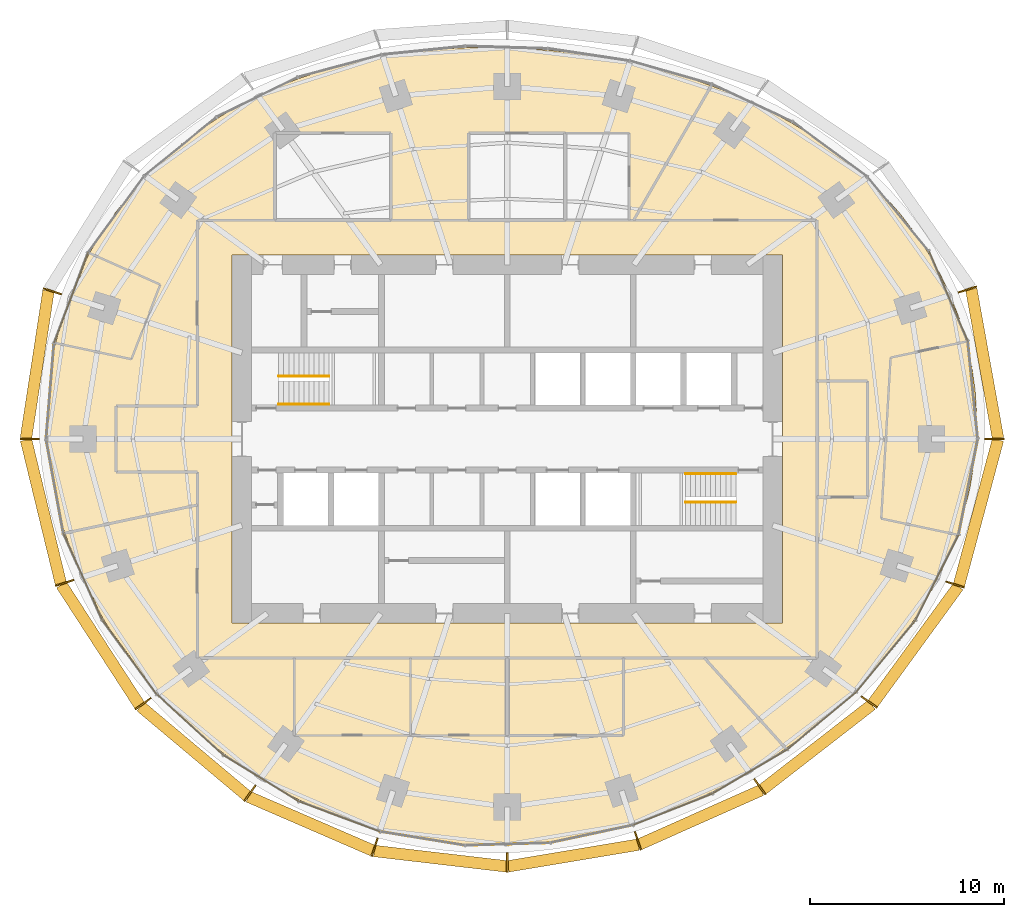
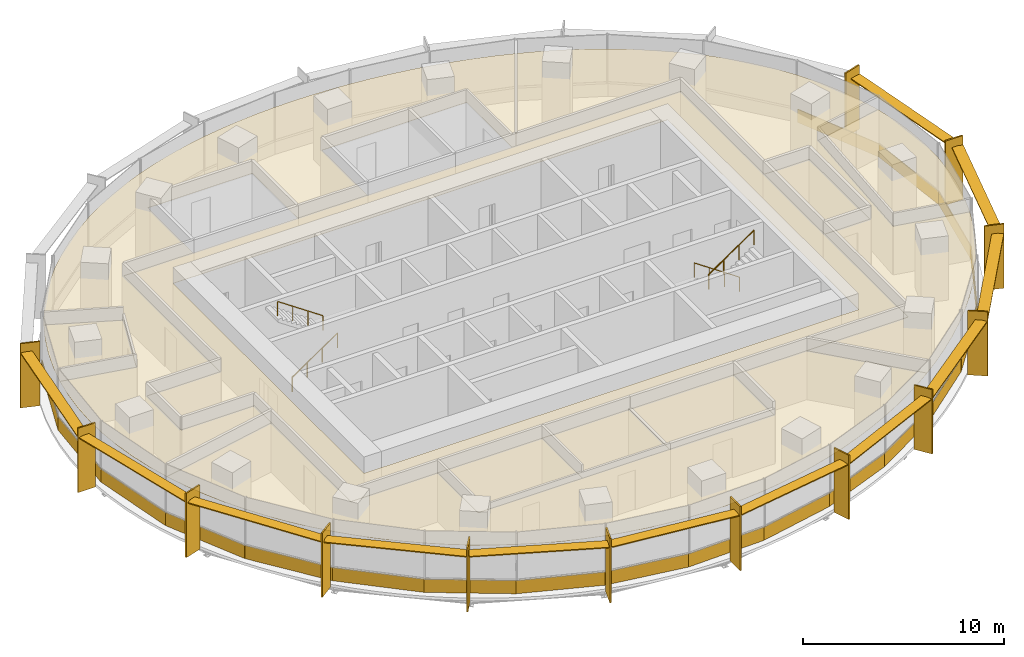
# One storey, part 13 of 14: 29 coverings, 25 shading devices, 4 railings.
"""IFC4 building model written with IfcOpenShell, lengths in metres."""

from ifc_helpers import new_model, si_unit, direction, frame, origin, origin_2d, place, context, subcontext, project, spatial, polyline, rectangle, circle, outline, extrude, material, layer, layer_set, type_object, element, save


model = new_model("IFC4")

# Units and contexts
model_context = context("Model", 3, precision=1e-05, world=origin(), true_north=direction((0.0, 1.0)))
body_context = subcontext(model_context, "Body", "Model", "MODEL_VIEW")
ifc_project = project(units=[si_unit("LENGTHUNIT", "METRE"), si_unit("AREAUNIT", "SQUARE_METRE"), si_unit("VOLUMEUNIT", "CUBIC_METRE"), si_unit("PLANEANGLEUNIT", "RADIAN"), si_unit("MASSUNIT", "GRAM", prefix="KILO")], contexts=[model_context])

# Site, building, storey
site_placement = place(None, origin())
site = spatial("IfcSite", under=ifc_project, at=site_placement, CompositionType="ELEMENT")
building_placement = place(site_placement, origin())
building = spatial("IfcBuilding", under=site, at=building_placement, Name="Marramba Exchange Tower", CompositionType="ELEMENT")
storey_placement = place(building_placement, frame((0.0, 0.0, 199.39990234375)))
storey = spatial("IfcBuildingStorey", under=building, at=storey_placement, Name="L48", CompositionType="ELEMENT", Elevation=199.39990234375)

# Shading devices
ifc_material_1 = material(Name="Aluminium blade, timber-look bronze finish", Category="wood")
ifc_layer_1 = layer(ifc_material_1, 0.080078125)
ifc_layer_set_1 = layer_set([ifc_layer_1], Name="Floor-edge blade 1000x80")
shading_device_type_1 = type_object("IfcShadingDeviceType", Name="Floor-edge blade 1000x80", PredefinedType="USERDEFINED", material=ifc_layer_set_1)
for number, where, z_axis, x_axis, name in (
    (1, (25.14404296875, 0.0, -0.159912109375), (0.0, 0.0, 1.0), (1.0, 0.0, 0.0), "Floor-edge blade FB1 L48 TC01"),
    (2, (23.757080078125, 7.718994140625, -0.159912109375), (0.0, 0.0, 1.0), (0.951056516295, 0.309016994375, 0.0), "Floor-edge blade FB1 L48 TC02"),
    (3, (-23.488525390625, 7.6318359375, -0.159912109375), (0.0, 0.0, 1.0), (-0.951056516295, 0.309016994375, 0.0), "Floor-edge blade FB1 L48 TC10"),
    (4, (-24.656005859375, 0.0, -0.159912109375), (0.0, 0.0, 1.0), (-1.0, 0.0, 0.0), "Floor-edge blade FB1 L48 TC11"),
    (5, (-22.848876953125, -7.424072265625, -0.159912109375), (0.0, 0.0, 1.0), (-0.951056516295, -0.309016994375, 0.0), "Floor-edge blade FB1 L48 TC12"),
    (6, (-18.7998046875, -13.658935546875, -0.159912109375), (0.0, 0.0, 1.0), (-0.809016994375, -0.587785252292, 0.0), "Floor-edge blade FB1 L48 TC13"),
    (7, (-13.2841796875, -18.2841796875, -0.159912109375), (0.0, 0.0, 1.0), (-0.587785252292, -0.809016994375, 0.0), "Floor-edge blade FB1 L48 TC14"),
    (8, (-6.845703125, -21.069091796875, -0.159912109375), (0.0, 0.0, 1.0), (-0.309016994375, -0.951056516295, 0.0), "Floor-edge blade FB1 L48 TC15"),
    (9, (0.0, -21.86376953125, -0.159912109375), (0.0, 0.0, 1.0), (0.0, -1.0, 0.0), "Floor-edge blade FB1 L48 TC16"),
    (10, (6.739501953125, -20.741943359375, -0.159912109375), (0.0, 0.0, 1.0), (0.309016994375, -0.951056516295, 0.0), "Floor-edge blade FB1 L48 TC17"),
    (11, (13.0380859375, -17.9453125, -0.159912109375), (0.0, 0.0, 1.0), (0.587785252292, -0.809016994375, 0.0), "Floor-edge blade FB1 L48 TC18"),
    (12, (18.6845703125, -13.5751953125, -0.159912109375), (0.0, 0.0, 1.0), (0.809016994375, -0.587785252292, 0.0), "Floor-edge blade FB1 L48 TC19"),
    (13, (23.1171875, -7.51123046875, -0.159912109375), (0.0, 0.0, 1.0), (0.951056516295, -0.309016994375, 0.0), "Floor-edge blade FB1 L48 TC20"),
):
    element("IfcShadingDevice", number, at=place(storey_placement, frame(where, z_axis=z_axis, x_axis=x_axis)), inside=storey, type_object=shading_device_type_1, Name=name, ObjectType="FIN", PredefinedType="USERDEFINED", context=body_context, shape_type="SweptSolid", body=[
        extrude(rectangle(XDim=1.0, YDim=0.080078125, at=origin_2d()), origin(), (0.0, 0.0, 1.0), 3.89990234375),
    ])
ifc_material_2 = material(Name="Aluminium sunshade, bronze anodised", Category="aluminium")
ifc_layer_2 = layer(ifc_material_2, 0.06005859375)
ifc_layer_set_2 = layer_set([ifc_layer_2], Name="SUNSHADE blade 600x60")
shading_device_type_2 = type_object("IfcShadingDeviceType", Name="SUNSHADE blade 600x60", PredefinedType="USERDEFINED", material=ifc_layer_set_2)
shading_device_1_placement = place(storey_placement, frame((24.6455078125, 3.890380859375, 3.16015625), z_axis=(0.0, 0.0, 1.0), x_axis=(-0.176690623809, 0.984266439262, 0.0)))
element("IfcShadingDevice", 14, at=shading_device_1_placement, inside=storey, type_object=shading_device_type_2, Name="Sunshade SS1 L48 bay 01", ObjectType="SUNSHADE", PredefinedType="USERDEFINED", context=body_context, shape_type="SweptSolid", body=[
    extrude(rectangle(XDim=7.8251953125, YDim=0.60009765625, at=origin_2d()), origin(), (0.0, 0.0, 1.0), 0.06005859375),
])
shading_device_2_placement = place(storey_placement, frame((-24.267333984375, 3.846923828125, 3.16015625), z_axis=(0.0, 0.0, 1.0), x_axis=(-0.151240669327, -0.988496970123, 0.0)))
element("IfcShadingDevice", 15, at=shading_device_2_placement, inside=storey, type_object=shading_device_type_2, Name="Sunshade SS1 L48 bay 10", ObjectType="SUNSHADE", PredefinedType="USERDEFINED", context=body_context, shape_type="SweptSolid", body=[
    extrude(rectangle(XDim=7.703369140625, YDim=0.60009765625, at=origin_2d()), origin(), (0.0, 0.0, 1.0), 0.06005859375),
])
shading_device_3_placement = place(storey_placement, frame((-23.947509765625, -3.742919921875, 3.16015625), z_axis=(0.0, 0.0, 1.0), x_axis=(0.235861488454, -0.971786683519, 0.0)))
element("IfcShadingDevice", 16, at=shading_device_3_placement, inside=storey, type_object=shading_device_type_2, Name="Sunshade SS1 L48 bay 11", ObjectType="SUNSHADE", PredefinedType="USERDEFINED", context=body_context, shape_type="SweptSolid", body=[
    extrude(rectangle(XDim=7.623291015625, YDim=0.60009765625, at=origin_2d()), origin(), (0.0, 0.0, 1.0), 0.06005859375),
])
shading_device_4_placement = place(storey_placement, frame((-21.000244140625, -10.631103515625, 3.16015625), z_axis=(0.0, 0.0, 1.0), x_axis=(0.543921771105, -0.839135928749, 0.0)))
element("IfcShadingDevice", 17, at=shading_device_4_placement, inside=storey, type_object=shading_device_type_2, Name="Sunshade SS1 L48 bay 12", ObjectType="SUNSHADE", PredefinedType="USERDEFINED", context=body_context, shape_type="SweptSolid", body=[
    extrude(rectangle(XDim=7.41650390625, YDim=0.60009765625, at=origin_2d()), origin(), (0.0, 0.0, 1.0), 0.06005859375),
])
shading_device_5_placement = place(storey_placement, frame((-16.181640625, -16.111083984375, 3.16015625), z_axis=(0.0, 0.0, 1.0), x_axis=(0.765761970568, -0.643124097225, 0.0)))
element("IfcShadingDevice", 18, at=shading_device_5_placement, inside=storey, type_object=shading_device_type_2, Name="Sunshade SS1 L48 bay 13", ObjectType="SUNSHADE", PredefinedType="USERDEFINED", context=body_context, shape_type="SweptSolid", body=[
    extrude(rectangle(XDim=7.1806640625, YDim=0.60009765625, at=origin_2d()), origin(), (0.0, 0.0, 1.0), 0.06005859375),
])
shading_device_6_placement = place(storey_placement, frame((-10.154541015625, -19.8525390625, 3.16015625), z_axis=(0.0, 0.0, 1.0), x_axis=(0.917589256742, -0.397529817639, 0.0)))
element("IfcShadingDevice", 19, at=shading_device_6_placement, inside=storey, type_object=shading_device_type_2, Name="Sunshade SS1 L48 bay 14", ObjectType="SUNSHADE", PredefinedType="USERDEFINED", context=body_context, shape_type="SweptSolid", body=[
    extrude(rectangle(XDim=6.997314453125, YDim=0.60009765625, at=origin_2d()), origin(), (0.0, 0.0, 1.0), 0.06005859375),
])
shading_device_7_placement = place(storey_placement, frame((-3.453857421875, -21.66162109375, 3.16015625), z_axis=(0.0, 0.0, 1.0), x_axis=(0.993288257497, -0.1156651958, 0.0)))
element("IfcShadingDevice", 20, at=shading_device_7_placement, inside=storey, type_object=shading_device_type_2, Name="Sunshade SS1 L48 bay 15", ObjectType="SUNSHADE", PredefinedType="USERDEFINED", context=body_context, shape_type="SweptSolid", body=[
    extrude(rectangle(XDim=6.874267578125, YDim=0.60009765625, at=origin_2d()), origin(), (0.0, 0.0, 1.0), 0.06005859375),
])
shading_device_8_placement = place(storey_placement, frame((3.400634765625, -21.498046875, 3.16015625), z_axis=(0.0, 0.0, 1.0), x_axis=(0.986439622954, 0.164124557168, 0.0)))
element("IfcShadingDevice", 21, at=shading_device_8_placement, inside=storey, type_object=shading_device_type_2, Name="Sunshade SS1 L48 bay 16", ObjectType="SUNSHADE", PredefinedType="USERDEFINED", context=body_context, shape_type="SweptSolid", body=[
    extrude(rectangle(XDim=6.814697265625, YDim=0.60009765625, at=origin_2d()), origin(), (0.0, 0.0, 1.0), 0.06005859375),
])
shading_device_9_placement = place(storey_placement, frame((9.978515625, -19.519775390625, 3.16015625), z_axis=(0.0, 0.0, 1.0), x_axis=(0.913771678576, 0.406228161792, 0.0)))
element("IfcShadingDevice", 22, at=shading_device_9_placement, inside=storey, type_object=shading_device_type_2, Name="Sunshade SS1 L48 bay 17", ObjectType="SUNSHADE", PredefinedType="USERDEFINED", context=body_context, shape_type="SweptSolid", body=[
    extrude(rectangle(XDim=6.8740234375, YDim=0.60009765625, at=origin_2d()), origin(), (0.0, 0.0, 1.0), 0.06005859375),
])
shading_device_10_placement = place(storey_placement, frame((16.0009765625, -15.89990234375, 3.16015625), z_axis=(0.0, 0.0, 1.0), x_axis=(0.790133082515, 0.612935324414, 0.0)))
element("IfcShadingDevice", 23, at=shading_device_10_placement, inside=storey, type_object=shading_device_type_2, Name="Sunshade SS1 L48 bay 18", ObjectType="SUNSHADE", PredefinedType="USERDEFINED", context=body_context, shape_type="SweptSolid", body=[
    extrude(rectangle(XDim=7.122314453125, YDim=0.60009765625, at=origin_2d()), origin(), (0.0, 0.0, 1.0), 0.06005859375),
])
shading_device_11_placement = place(storey_placement, frame((21.076904296875, -10.6328125, 3.16015625), z_axis=(0.0, 0.0, 1.0), x_axis=(0.589071758439, 0.808080728275, 0.0)))
element("IfcShadingDevice", 24, at=shading_device_11_placement, inside=storey, type_object=shading_device_type_2, Name="Sunshade SS1 L48 bay 19", ObjectType="SUNSHADE", PredefinedType="USERDEFINED", context=body_context, shape_type="SweptSolid", body=[
    extrude(rectangle(XDim=7.4931640625, YDim=0.60009765625, at=origin_2d()), origin(), (0.0, 0.0, 1.0), 0.06005859375),
])
shading_device_12_placement = place(storey_placement, frame((24.32568359375, -3.78662109375, 3.16015625), z_axis=(0.0, 0.0, 1.0), x_axis=(0.259692365654, 0.965691397508, 0.0)))
element("IfcShadingDevice", 25, at=shading_device_12_placement, inside=storey, type_object=shading_device_type_2, Name="Sunshade SS1 L48 bay 20", ObjectType="SUNSHADE", PredefinedType="USERDEFINED", context=body_context, shape_type="SweptSolid", body=[
    extrude(rectangle(XDim=7.76220703125, YDim=0.60009765625, at=origin_2d()), origin(), (0.0, 0.0, 1.0), 0.06005859375),
])

# Coverings
ifc_material_3 = material(Name="Aluminium spandrel panel, bronze anodised, insulated", Category="aluminium")
ifc_layer_3 = layer(ifc_material_3, 0.050048828125)
ifc_layer_set_3 = layer_set([ifc_layer_3], Name="Spandrel panel 800")
covering_type_1 = type_object("IfcCoveringType", Name="Spandrel panel 800", PredefinedType="CLADDING", material=ifc_layer_set_3)
covering_1_placement = place(storey_placement, frame((24.036376953125, 2.527099609375, 0.0), z_axis=(0.0, 0.0, 1.0), x_axis=(-0.101422478545, 0.994843445395, 0.0)))
element("IfcCovering", 26, at=covering_1_placement, inside=storey, type_object=covering_type_1, Name="Spandrel panel SP1 L48 F01", PredefinedType="CLADDING", context=body_context, shape_type="SweptSolid", body=[
    extrude(rectangle(XDim=5.08056640625, YDim=0.050048828125, at=origin_2d()), origin(), (0.0, 0.0, 1.0), 0.800048828125),
])
covering_2_placement = place(storey_placement, frame((22.77734375, 7.374755859375, 0.0), z_axis=(0.0, 0.0, 1.0), x_axis=(-0.396193349205, 0.918167103552, 0.0)))
element("IfcCovering", 27, at=covering_2_placement, inside=storey, type_object=covering_type_1, Name="Spandrel panel SP1 L48 F02", PredefinedType="CLADDING", context=body_context, shape_type="SweptSolid", body=[
    extrude(rectangle(XDim=5.0546875, YDim=0.050048828125, at=origin_2d()), origin(), (0.0, 0.0, 1.0), 0.800048828125),
])
covering_3_placement = place(storey_placement, frame((-22.518798828125, 7.30419921875, 0.0), z_axis=(0.0, 0.0, 1.0), x_axis=(-0.351951514464, -0.936018232443, 0.0)))
element("IfcCovering", 28, at=covering_3_placement, inside=storey, type_object=covering_type_1, Name="Spandrel panel SP1 L48 F14", PredefinedType="CLADDING", context=body_context, shape_type="SweptSolid", body=[
    extrude(rectangle(XDim=4.981689453125, YDim=0.050048828125, at=origin_2d()), origin(), (0.0, 0.0, 1.0), 0.800048828125),
])
covering_4_placement = place(storey_placement, frame((-23.600830078125, 2.486328125, 0.0), z_axis=(0.0, 0.0, 1.0), x_axis=(-0.082280881776, -0.996609179415, 0.0)))
element("IfcCovering", 29, at=covering_4_placement, inside=storey, type_object=covering_type_1, Name="Spandrel panel SP1 L48 F15", PredefinedType="CLADDING", context=body_context, shape_type="SweptSolid", body=[
    extrude(rectangle(XDim=4.98974609375, YDim=0.050048828125, at=origin_2d()), origin(), (0.0, 0.0, 1.0), 0.800048828125),
])
covering_5_placement = place(storey_placement, frame((-23.359619140625, -2.43505859375, 0.0), z_axis=(0.0, 0.0, 1.0), x_axis=(0.180327442841, -0.983606635479, 0.0)))
element("IfcCovering", 30, at=covering_5_placement, inside=storey, type_object=covering_type_1, Name="Spandrel panel SP1 L48 F16", PredefinedType="CLADDING", context=body_context, shape_type="SweptSolid", body=[
    extrude(rectangle(XDim=4.951416015625, YDim=0.050048828125, at=origin_2d()), origin(), (0.0, 0.0, 1.0), 0.800048828125),
])
covering_6_placement = place(storey_placement, frame((-21.920654296875, -7.093994140625, 0.0), z_axis=(0.0, 0.0, 1.0), x_axis=(0.407557582153, -0.913179509861, 0.0)))
element("IfcCovering", 31, at=covering_6_placement, inside=storey, type_object=covering_type_1, Name="Spandrel panel SP1 L48 F17", PredefinedType="CLADDING", context=body_context, shape_type="SweptSolid", body=[
    extrude(rectangle(XDim=4.870361328125, YDim=0.050048828125, at=origin_2d()), origin(), (0.0, 0.0, 1.0), 0.800048828125),
])
covering_7_placement = place(storey_placement, frame((-19.520263671875, -11.238525390625, 0.0), z_axis=(0.0, 0.0, 1.0), x_axis=(0.591223097085, -0.80650805915, 0.0)))
element("IfcCovering", 32, at=covering_7_placement, inside=storey, type_object=covering_type_1, Name="Spandrel panel SP1 L48 F18", PredefinedType="CLADDING", context=body_context, shape_type="SweptSolid", body=[
    extrude(rectangle(XDim=4.762939453125, YDim=0.050048828125, at=origin_2d()), origin(), (0.0, 0.0, 1.0), 0.800048828125),
])
covering_8_placement = place(storey_placement, frame((-16.396240234375, -14.73193359375, 0.0), z_axis=(0.0, 0.0, 1.0), x_axis=(0.737203259599, -0.67567103981, 0.0)))
element("IfcCovering", 33, at=covering_8_placement, inside=storey, type_object=covering_type_1, Name="Spandrel panel SP1 L48 F19", PredefinedType="CLADDING", context=body_context, shape_type="SweptSolid", body=[
    extrude(rectangle(XDim=4.65478515625, YDim=0.050048828125, at=origin_2d()), origin(), (0.0, 0.0, 1.0), 0.800048828125),
])
covering_9_placement = place(storey_placement, frame((-12.73583984375, -17.497802734375, 0.0), z_axis=(0.0, 0.0, 1.0), x_axis=(0.852301010692, -0.52305161043, 0.0)))
element("IfcCovering", 34, at=covering_9_placement, inside=storey, type_object=covering_type_1, Name="Spandrel panel SP1 L48 F20", PredefinedType="CLADDING", context=body_context, shape_type="SweptSolid", body=[
    extrude(rectangle(XDim=4.563232421875, YDim=0.050048828125, at=origin_2d()), origin(), (0.0, 0.0, 1.0), 0.800048828125),
])
covering_10_placement = place(storey_placement, frame((-8.687255859375, -19.47607421875, 0.0), z_axis=(0.0, 0.0, 1.0), x_axis=(0.936951581946, -0.349459200892, 0.0)))
element("IfcCovering", 35, at=covering_10_placement, inside=storey, type_object=covering_type_1, Name="Spandrel panel SP1 L48 F21", PredefinedType="CLADDING", context=body_context, shape_type="SweptSolid", body=[
    extrude(rectangle(XDim=4.491455078125, YDim=0.050048828125, at=origin_2d()), origin(), (0.0, 0.0, 1.0), 0.800048828125),
])
covering_11_placement = place(storey_placement, frame((-4.393798828125, -20.6181640625, 0.0), z_axis=(0.0, 0.0, 1.0), x_axis=(0.98693062179, -0.161145734582, 0.0)))
element("IfcCovering", 36, at=covering_11_placement, inside=storey, type_object=covering_type_1, Name="Spandrel panel SP1 L48 F22", PredefinedType="CLADDING", context=body_context, shape_type="SweptSolid", body=[
    extrude(rectangle(XDim=4.4365234375, YDim=0.050048828125, at=origin_2d()), origin(), (0.0, 0.0, 1.0), 0.800048828125),
])
covering_12_placement = place(storey_placement, frame((-0.0068359375, -20.9111328125, 0.0), z_axis=(0.0, 0.0, 1.0), x_axis=(0.99956791932, 0.02939344597, 0.0)))
element("IfcCovering", 37, at=covering_12_placement, inside=storey, type_object=covering_type_1, Name="Spandrel panel SP1 L48 F23", PredefinedType="CLADDING", context=body_context, shape_type="SweptSolid", body=[
    extrude(rectangle(XDim=4.3974609375, YDim=0.050048828125, at=origin_2d()), origin(), (0.0, 0.0, 1.0), 0.800048828125),
])
covering_13_placement = place(storey_placement, frame((4.333984375, -20.389892578125, 0.0), z_axis=(0.0, 0.0, 1.0), x_axis=(0.978058068956, 0.208332459664, 0.0)))
element("IfcCovering", 38, at=covering_13_placement, inside=storey, type_object=covering_type_1, Name="Spandrel panel SP1 L48 F24", PredefinedType="CLADDING", context=body_context, shape_type="SweptSolid", body=[
    extrude(rectangle(XDim=4.3818359375, YDim=0.050048828125, at=origin_2d()), origin(), (0.0, 0.0, 1.0), 0.800048828125),
])
covering_14_placement = place(storey_placement, frame((8.525390625, -19.124267578125, 0.0), z_axis=(0.0, 0.0, 1.0), x_axis=(0.93007301151, 0.367374731386, 0.0)))
element("IfcCovering", 39, at=covering_14_placement, inside=storey, type_object=covering_type_1, Name="Spandrel panel SP1 L48 F25", PredefinedType="CLADDING", context=body_context, shape_type="SweptSolid", body=[
    extrude(rectangle(XDim=4.405517578125, YDim=0.050048828125, at=origin_2d()), origin(), (0.0, 0.0, 1.0), 0.800048828125),
])
covering_15_placement = place(storey_placement, frame((12.50634765625, -17.175537109375, 0.0), z_axis=(0.0, 0.0, 1.0), x_axis=(0.861350829898, 0.508010578466, 0.0)))
element("IfcCovering", 40, at=covering_15_placement, inside=storey, type_object=covering_type_1, Name="Spandrel panel SP1 L48 F26", PredefinedType="CLADDING", context=body_context, shape_type="SweptSolid", body=[
    extrude(rectangle(XDim=4.486572265625, YDim=0.050048828125, at=origin_2d()), origin(), (0.0, 0.0, 1.0), 0.800048828125),
])
covering_16_placement = place(storey_placement, frame((16.2177734375, -14.5556640625, 0.0), z_axis=(0.0, 0.0, 1.0), x_axis=(0.768736803132, 0.639565264465, 0.0)))
element("IfcCovering", 41, at=covering_16_placement, inside=storey, type_object=covering_type_1, Name="Spandrel panel SP1 L48 F27", PredefinedType="CLADDING", context=body_context, shape_type="SweptSolid", body=[
    extrude(rectangle(XDim=4.628662109375, YDim=0.050048828125, at=origin_2d()), origin(), (0.0, 0.0, 1.0), 0.800048828125),
])
covering_17_placement = place(storey_placement, frame((19.529541015625, -11.2265625, 0.0), z_axis=(0.0, 0.0, 1.0), x_axis=(0.638149992226, 0.769912064733, 0.0)))
element("IfcCovering", 42, at=covering_17_placement, inside=storey, type_object=covering_type_1, Name="Spandrel panel SP1 L48 F28", PredefinedType="CLADDING", context=body_context, shape_type="SweptSolid", body=[
    extrude(rectangle(XDim=4.80322265625, YDim=0.050048828125, at=origin_2d()), origin(), (0.0, 0.0, 1.0), 0.800048828125),
])
covering_18_placement = place(storey_placement, frame((22.17919921875, -7.16455078125, 0.0), z_axis=(0.0, 0.0, 1.0), x_axis=(0.450673091404, 0.892689063832, 0.0)))
element("IfcCovering", 43, at=covering_18_placement, inside=storey, type_object=covering_type_1, Name="Spandrel panel SP1 L48 F29", PredefinedType="CLADDING", context=body_context, shape_type="SweptSolid", body=[
    extrude(rectangle(XDim=4.957763671875, YDim=0.050048828125, at=origin_2d()), origin(), (0.0, 0.0, 1.0), 0.800048828125),
])
covering_19_placement = place(storey_placement, frame((23.795166015625, -2.475830078125, 0.0), z_axis=(0.0, 0.0, 1.0), x_axis=(0.197495401381, 0.980303813332, 0.0)))
element("IfcCovering", 44, at=covering_19_placement, inside=storey, type_object=covering_type_1, Name="Spandrel panel SP1 L48 F30", PredefinedType="CLADDING", context=body_context, shape_type="SweptSolid", body=[
    extrude(rectangle(XDim=5.05126953125, YDim=0.050048828125, at=origin_2d()), origin(), (0.0, 0.0, 1.0), 0.800048828125),
])

# Railings
ifc_material_4 = material(Name="Stainless steel handrail", Category="steel")
railing_type = type_object("IfcRailingType", Name="Stair handrail 900", PredefinedType="HANDRAIL", material=ifc_material_4)
railing_1_placement = place(storey_placement, frame((-11.800048828125, 1.800048828125, 0.177490234375)))
element("IfcRailing", 45, at=railing_1_placement, inside=storey, type_object=railing_type, Name="Handrail HR1 ST1 L48 flight 1", PredefinedType="HANDRAIL", context=body_context, shape_type="SweptSolid", body=[
    extrude(circle(Radius=0.02392578125, at=origin_2d()), frame((0.0, 0.0, 0.8759765625), z_axis=(0.826240473404, 0.0, 0.563317565952), x_axis=(0.0, 1.0, 0.0)), (0.0, 0.0, 1.0), 3.14697265625),
    extrude(circle(Radius=0.02099609375, at=origin_2d()), origin(), (0.0, 0.0, 1.0), 0.851806640625),
    extrude(circle(Radius=0.02099609375, at=origin_2d()), frame((0.86669921875, 0.0, 0.5908203125)), (0.0, 0.0, 1.0), 0.851806640625),
    extrude(circle(Radius=0.02099609375, at=origin_2d()), frame((1.7333984375, 0.0, 1.181884765625)), (0.0, 0.0, 1.0), 0.851806640625),
    extrude(circle(Radius=0.02099609375, at=origin_2d()), frame((2.60009765625, 0.0, 1.772705078125)), (0.0, 0.0, 1.0), 0.851806640625),
])
for number, where, name in (
    (46, (-9.199951171875, 3.25, 2.12744140625), "Handrail HR1 ST1 L48 flight 2"),
    (47, (11.800048828125, -1.800048828125, 0.177490234375), "Handrail HR1 ST2 L48 flight 1"),
):
    element("IfcRailing", number, at=place(storey_placement, frame(where)), inside=storey, type_object=railing_type, Name=name, PredefinedType="HANDRAIL", context=body_context, shape_type="SweptSolid", body=[
        extrude(circle(Radius=0.02392578125, at=origin_2d()), frame((0.0, 0.0, 0.8759765625), z_axis=(-0.826240473404, 0.0, 0.563317565952), x_axis=(0.0, -1.0, 0.0)), (0.0, 0.0, 1.0), 3.14697265625),
        extrude(circle(Radius=0.02099609375, at=origin_2d()), origin(), (0.0, 0.0, 1.0), 0.851806640625),
        extrude(circle(Radius=0.02099609375, at=origin_2d()), frame((-0.86669921875, 0.0, 0.5908203125)), (0.0, 0.0, 1.0), 0.851806640625),
        extrude(circle(Radius=0.02099609375, at=origin_2d()), frame((-1.7333984375, 0.0, 1.181884765625)), (0.0, 0.0, 1.0), 0.851806640625),
        extrude(circle(Radius=0.02099609375, at=origin_2d()), frame((-2.60009765625, 0.0, 1.772705078125)), (0.0, 0.0, 1.0), 0.851806640625),
    ])
railing_2_placement = place(storey_placement, frame((9.199951171875, -3.25, 2.12744140625)))
element("IfcRailing", 48, at=railing_2_placement, inside=storey, type_object=railing_type, Name="Handrail HR1 ST2 L48 flight 2", PredefinedType="HANDRAIL", context=body_context, shape_type="SweptSolid", body=[
    extrude(circle(Radius=0.02392578125, at=origin_2d()), frame((0.0, 0.0, 0.8759765625), z_axis=(0.826240473404, 0.0, 0.563317565952), x_axis=(0.0, 1.0, 0.0)), (0.0, 0.0, 1.0), 3.14697265625),
    extrude(circle(Radius=0.02099609375, at=origin_2d()), origin(), (0.0, 0.0, 1.0), 0.851806640625),
    extrude(circle(Radius=0.02099609375, at=origin_2d()), frame((0.86669921875, 0.0, 0.5908203125)), (0.0, 0.0, 1.0), 0.851806640625),
    extrude(circle(Radius=0.02099609375, at=origin_2d()), frame((1.7333984375, 0.0, 1.181884765625)), (0.0, 0.0, 1.0), 0.851806640625),
    extrude(circle(Radius=0.02099609375, at=origin_2d()), frame((2.60009765625, 0.0, 1.772705078125)), (0.0, 0.0, 1.0), 0.851806640625),
])

# Coverings
ifc_material_5 = material(Name="Mineral fibre ceiling tiles", Category="gypsum")
ifc_layer_4 = layer(ifc_material_5, 0.02001953125)
ifc_layer_set_4 = layer_set([ifc_layer_4], Name="Suspended ceiling 20")
covering_type_2 = type_object("IfcCoveringType", Name="Suspended ceiling 20", PredefinedType="CEILING", material=ifc_layer_set_4)
covering_20_placement = place(storey_placement, frame((0.0, 0.0, 2.900146484375)))
element("IfcCovering", 49, at=covering_20_placement, inside=storey, type_object=covering_type_2, Name="Ceiling CL1 L48 Office 1", PredefinedType="CEILING", context=body_context, shape_type="SweptSolid", body=[
    extrude(outline(polyline([(16.0, -3.0), (18.60009765625, -3.0), (18.60009765625, 3.0), (16.0, 3.0), (16.0, 11.300048828125), (6.524169921875, 11.300048828125), (10.5341796875, 18.245849609375), (11.584716796875, 17.839111328125), (12.6298828125, 17.383544921875), (13.666259765625, 16.87646484375), (14.689453125, 16.314453125), (15.695068359375, 15.695068359375), (16.67724609375, 15.016357421875), (17.6298828125, 14.276611328125), (18.54638671875, 13.474853515625), (19.41943359375, 12.611083984375), (20.24169921875, 11.6865234375), (21.00537109375, 10.70263671875), (21.702880859375, 9.662841796875), (22.32763671875, 8.57080078125), (22.87255859375, 7.431640625), (23.331787109375, 6.251708984375), (23.700439453125, 5.03759765625), (19.787841796875, 4.2060546875), (19.3056640625, -4.103515625), (23.218017578125, -4.935302734375), (22.760986328125, -6.098876953125), (22.23291015625, -7.223876953125), (21.639892578125, -8.306884765625), (20.989013671875, -9.344970703125), (20.286865234375, -10.336669921875), (19.539794921875, -11.28125), (18.753173828125, -12.178466796875), (17.93212890625, -13.028564453125), (17.08154296875, -13.832275390625), (16.204833984375, -14.5908203125), (15.30517578125, -15.30517578125), (14.38525390625, -15.976318359375), (10.174560546875, -11.300048828125), (16.0, -11.300048828125), (16.0, -3.0)])), origin(), (0.0, 0.0, 1.0), 0.02001953125),
])
covering_21_placement = place(storey_placement, frame((0.0, 0.0, 2.900146484375)))
element("IfcCovering", 50, at=covering_21_placement, inside=storey, type_object=covering_type_2, Name="Ceiling CL1 L48 Office 2", PredefinedType="CEILING", context=body_context, shape_type="SweptSolid", body=[
    extrude(outline(polyline([(-16.0, 1.699951171875), (-20.199951171875, 1.699951171875), (-20.199951171875, -1.699951171875), (-16.0, -1.699951171875), (-16.0, -3.40087890625), (-22.8349609375, -4.853759765625), (-23.169921875, -3.669677734375), (-23.432373046875, -2.462890625), (-23.618896484375, -1.23779296875), (-23.72607421875, 0.0), (-23.7509765625, 1.24462890625), (-23.691650390625, 2.489990234375), (-23.547119140625, 3.7294921875), (-23.317138671875, 4.956298828125), (-19.404541015625, 4.12451171875), (-17.914794921875, 7.976318359375), (-21.569091796875, 9.603271484375), (-20.939697265625, 10.669189453125), (-20.24169921875, 11.6865234375), (-19.48046875, 12.650634765625), (-18.66162109375, 13.55859375), (-17.79150390625, 14.4072265625), (-16.87548828125, 15.19482421875), (-15.920166015625, 15.920166015625), (-14.931396484375, 16.5830078125), (-13.914794921875, 17.183349609375), (-12.8759765625, 17.722412109375), (-11.820068359375, 18.201171875), (-10.75146484375, 18.621826171875), (-9.67431640625, 18.98681640625), (-8.59228515625, 19.29833984375), (-7.50830078125, 19.559326171875), (-6.424560546875, 19.77294921875), (-5.34326171875, 19.941650390625), (-4.265625, 20.068603515625), (-3.1923828125, 20.15625), (-2.123779296875, 20.20703125), (-1.059814453125, 20.22314453125), (0.0, 20.206298828125), (1.056396484375, 20.15771484375), (2.1103515625, 20.077880859375), (3.16259765625, 19.96728515625), (4.214111328125, 19.82568359375), (5.265869140625, 19.65234375), (6.318359375, 19.445556640625), (7.371826171875, 19.2041015625), (8.426025390625, 18.92529296875), (9.480712890625, 18.60693359375), (10.5341796875, 18.245849609375), (9.35205078125, 16.197998046875), (6.524169921875, 11.300048828125), (6.300048828125, 11.300048828125), (6.300048828125, 15.800048828125), (3.0, 15.800048828125), (-2.0, 15.800048828125), (-2.0, 11.300048828125), (-6.0, 11.300048828125), (-6.0, 15.800048828125), (-12.0, 15.800048828125), (-12.0, 11.300048828125), (-16.0, 11.300048828125), (-16.0, 1.699951171875)])), origin(), (0.0, 0.0, 1.0), 0.02001953125),
])
covering_22_placement = place(storey_placement, frame((0.0, 0.0, 2.900146484375)))
element("IfcCovering", 51, at=covering_22_placement, inside=storey, type_object=covering_type_2, Name="Ceiling CL1 L48 Office 3", PredefinedType="CEILING", context=body_context, shape_type="SweptSolid", body=[
    extrude(outline(polyline([(-11.0, -11.300048828125), (-11.0, -15.300048828125), (-5.0, -15.300048828125), (0.0, -15.300048828125), (6.0, -15.300048828125), (6.0, -11.300048828125), (10.174560546875, -11.300048828125), (13.09375, -14.5419921875), (14.38525390625, -15.976318359375), (13.44677734375, -16.60546875), (12.491455078125, -17.193115234375), (11.520263671875, -17.73974609375), (10.5341796875, -18.245849609375), (9.53369140625, -18.711181640625), (8.51953125, -19.13525390625), (7.4921875, -19.517578125), (6.4521484375, -19.857421875), (5.400146484375, -20.153564453125), (4.337158203125, -20.404541015625), (3.26416015625, -20.609619140625), (2.1826171875, -20.766845703125), (1.093994140625, -20.875244140625), (0.0, -20.93359375), (-1.097412109375, -20.94091796875), (-2.1962890625, -20.89599609375), (-3.294189453125, -20.79833984375), (-4.388916015625, -20.6474609375), (-5.477783203125, -20.44287109375), (-6.558349609375, -20.184814453125), (-7.62841796875, -19.873046875), (-8.685546875, -19.50830078125), (-9.727294921875, -19.091064453125), (-10.75146484375, -18.621826171875), (-11.755615234375, -18.101806640625), (-12.737548828125, -17.53173828125), (-13.6953125, -16.912353515625), (-14.626953125, -16.2451171875), (-15.5302734375, -15.5302734375), (-16.403076171875, -14.769287109375), (-17.242919921875, -13.962890625), (-18.04736328125, -13.1123046875), (-18.81396484375, -12.218017578125), (-19.539794921875, -11.28125), (-20.22119140625, -10.30322265625), (-20.85498046875, -9.285400390625), (-21.4375, -8.22900390625), (-21.96435546875, -7.13671875), (-22.431640625, -6.010498046875), (-22.8349609375, -4.853759765625), (-16.0, -3.40087890625), (-16.0, -11.300048828125), (-11.0, -11.300048828125)])), origin(), (0.0, 0.0, 1.0), 0.02001953125),
])
covering_23_placement = place(storey_placement, frame((0.0, 0.0, 2.900146484375)))
element("IfcCovering", 52, at=covering_23_placement, inside=storey, type_object=covering_type_2, Name="Ceiling CL1 L48 Corridor", PredefinedType="CEILING", context=body_context, shape_type="SweptSolid", body=[
    extrude(outline(polyline([(-16.0, 11.300048828125), (16.0, 11.300048828125), (16.0, -11.300048828125), (-16.0, -11.300048828125), (-16.0, -1.699951171875), (-20.199951171875, -1.699951171875), (-20.199951171875, 1.699951171875), (-16.0, 1.699951171875), (-16.0, 11.300048828125)]), holes=[polyline([(14.199951171875, 9.5), (-14.199951171875, 9.5), (-14.199951171875, 1.699951171875), (-14.199951171875, -1.699951171875), (-14.199951171875, -9.5), (14.199951171875, -9.5), (14.199951171875, 9.5)])]), origin(), (0.0, 0.0, 1.0), 0.02001953125),
])
covering_24_placement = place(storey_placement, frame((0.0, 0.0, 2.900146484375)))
element("IfcCovering", 53, at=covering_24_placement, inside=storey, type_object=covering_type_2, Name="Ceiling CL1 L48 Office", PredefinedType="CEILING", context=body_context, shape_type="SweptSolid", body=[
    extrude(outline(polyline([(23.80322265625, 4.5732421875), (23.974853515625, 3.797119140625), (24.15234375, 2.53857421875), (24.23193359375, 1.27001953125), (24.214111328125, 0.0), (24.10009765625, -1.262939453125), (23.89306640625, -2.51123046875), (23.800048828125, -2.897705078125), (23.597412109375, -3.737548828125), (23.35009765625, -4.518310546875), (23.218017578125, -4.935302734375), (19.3056640625, -4.103515625), (19.787841796875, 4.2060546875), (23.700439453125, 5.03759765625), (23.80322265625, 4.5732421875)])), origin(), (0.0, 0.0, 1.0), 0.02001953125),
])
covering_25_placement = place(storey_placement, frame((0.0, 0.0, 2.900146484375)))
element("IfcCovering", 54, at=covering_25_placement, inside=storey, type_object=covering_type_2, Name="Ceiling CL1 L48 Focus Room", PredefinedType="CEILING", context=body_context, shape_type="SweptSolid", body=[
    extrude(outline(polyline([(-23.1357421875, 5.652099609375), (-23.002197265625, 6.163330078125), (-22.889404296875, 6.49853515625), (-22.604248046875, 7.344482421875), (-22.213623046875, 8.281005859375), (-22.125244140625, 8.4931640625), (-22.05029296875, 8.642822265625), (-21.569091796875, 9.603271484375), (-17.914794921875, 7.976318359375), (-19.404541015625, 4.12451171875), (-23.317138671875, 4.956298828125), (-23.1357421875, 5.652099609375)])), origin(), (0.0, 0.0, 1.0), 0.02001953125),
])
covering_26_placement = place(storey_placement, frame((0.0, 0.0, 2.900146484375)))
element("IfcCovering", 55, at=covering_26_placement, inside=storey, type_object=covering_type_2, Name="Ceiling CL1 L48 Meeting Room 1", PredefinedType="CEILING", context=body_context, shape_type="SweptSolid", body=[
    extrude(outline(polyline([(18.60009765625, -3.0), (16.0, -3.0), (16.0, 3.0), (18.60009765625, 3.0), (18.60009765625, -3.0)])), origin(), (0.0, 0.0, 1.0), 0.02001953125),
])
covering_27_placement = place(storey_placement, frame((0.0, 0.0, 2.900146484375)))
element("IfcCovering", 56, at=covering_27_placement, inside=storey, type_object=covering_type_2, Name="Ceiling CL1 L48 Pantry 2", PredefinedType="CEILING", context=body_context, shape_type="SweptSolid", body=[
    extrude(outline(polyline([(-5.0, -15.300048828125), (-11.0, -15.300048828125), (-11.0, -11.300048828125), (-5.0, -11.300048828125), (-5.0, -15.300048828125)])), origin(), (0.0, 0.0, 1.0), 0.02001953125),
])
covering_28_placement = place(storey_placement, frame((0.0, 0.0, 2.900146484375)))
element("IfcCovering", 57, at=covering_28_placement, inside=storey, type_object=covering_type_2, Name="Ceiling CL1 L48 Meeting Room 4", PredefinedType="CEILING", context=body_context, shape_type="SweptSolid", body=[
    extrude(outline(polyline([(6.0, -15.300048828125), (0.0, -15.300048828125), (0.0, -11.300048828125), (6.0, -11.300048828125), (6.0, -15.300048828125)])), origin(), (0.0, 0.0, 1.0), 0.02001953125),
])
covering_29_placement = place(storey_placement, frame((0.0, 0.0, 2.900146484375)))
element("IfcCovering", 58, at=covering_29_placement, inside=storey, type_object=covering_type_2, Name="Ceiling CL1 L48 Print Room", PredefinedType="CEILING", context=body_context, shape_type="SweptSolid", body=[
    extrude(outline(polyline([(0.0, -15.300048828125), (-5.0, -15.300048828125), (-5.0, -11.300048828125), (0.0, -11.300048828125), (0.0, -15.300048828125)])), origin(), (0.0, 0.0, 1.0), 0.02001953125),
])

save(model, "model.ifc")
